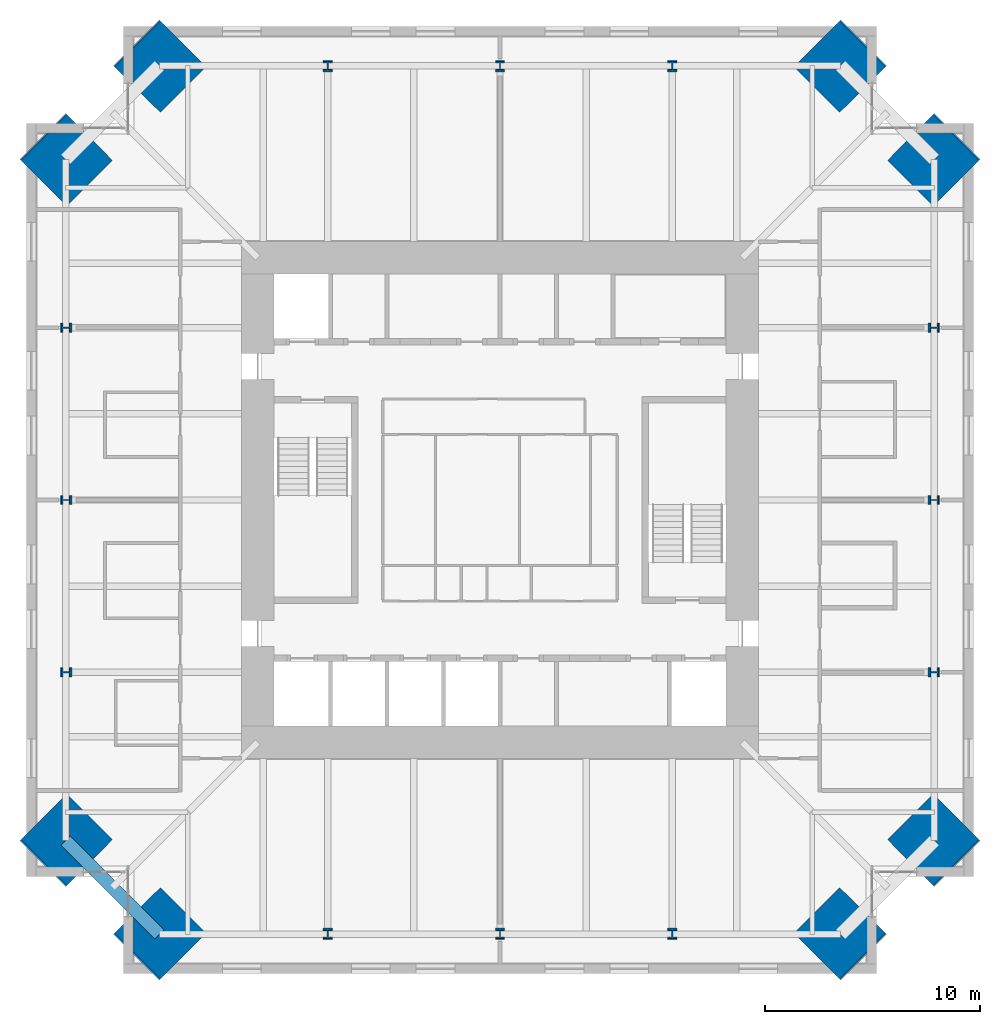
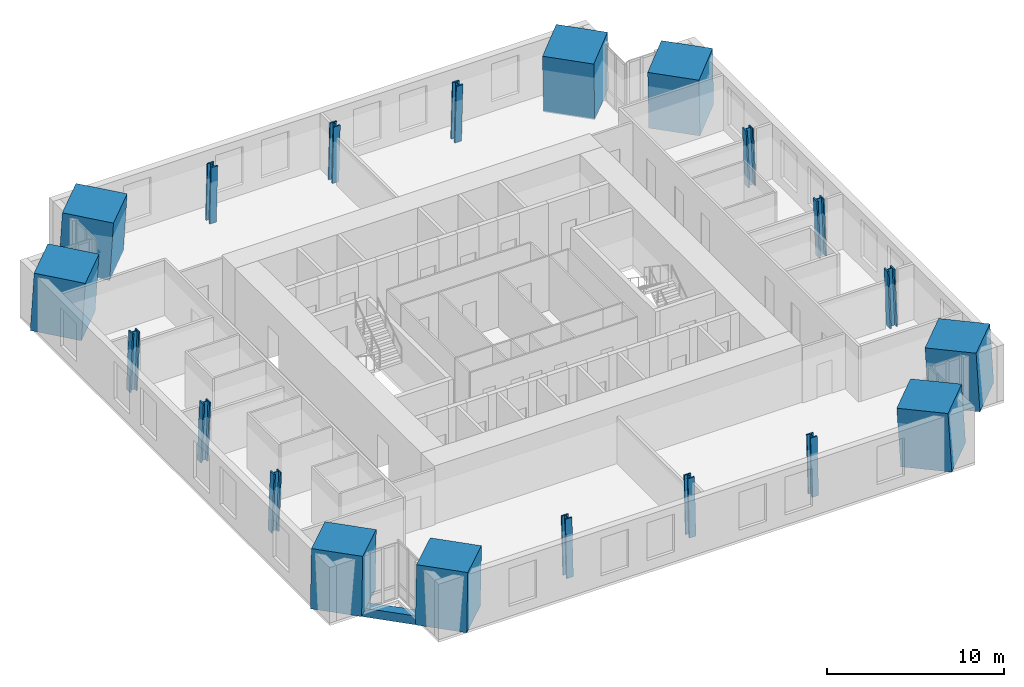
# One storey, part 1 of 16: 20 columns, 1 beam.
"""IFC4 building model written with IfcOpenShell, lengths in metres."""

from ifc_helpers import new_model, si_unit, direction, frame, origin, origin_2d, place, context, subcontext, project, spatial, rectangle, hollow_rectangle, i_section, extrude, material, material_profile, profile_set, type_object, element, save


model = new_model("IFC4")

# Units and contexts
model_context = context("Model", 3, precision=1e-05, world=origin(), true_north=direction((0.0, 1.0)))
body_context = subcontext(model_context, "Body", "Model", "MODEL_VIEW")
ifc_project = project(units=[si_unit("LENGTHUNIT", "METRE"), si_unit("AREAUNIT", "SQUARE_METRE"), si_unit("VOLUMEUNIT", "CUBIC_METRE"), si_unit("PLANEANGLEUNIT", "RADIAN"), si_unit("MASSUNIT", "GRAM", prefix="KILO")], contexts=[model_context])

# Site, building, storey
site_placement = place(None, origin())
site = spatial("IfcSite", under=ifc_project, at=site_placement, CompositionType="ELEMENT")
building_placement = place(site_placement, origin())
building = spatial("IfcBuilding", under=site, at=building_placement, Name="Peilmerk Tower", CompositionType="ELEMENT")
storey_placement = place(building_placement, frame((0.0, 0.0, 265.800048828125)))
storey = spatial("IfcBuildingStorey", under=building, at=storey_placement, Name="L59", CompositionType="ELEMENT", Elevation=265.800048828125)

# Columns
ifc_material_1 = material(Name="Concrete C90/105", Category="concrete")
ifc_material_profile_1 = material_profile(ifc_material_1, rectangle(XDim=3.0, YDim=3.0, at=origin_2d()), Name="RC 3000x3000")
ifc_profile_set_1 = profile_set([ifc_material_profile_1], Name="Concrete C90/105")
column_type_1 = type_object("IfcColumnType", Name="MC3 3000x3000 encased mega column", PredefinedType="COLUMN", material=ifc_profile_set_1)
for number, where, z_axis, x_axis, name in (
    (1, (15.8291015625, 20.178955078125, 0.0), (-0.040278830354, -0.040217894151, 0.998378754189), (0.706571297296, -0.707641859868, 0.0), "Mega column MC3 NE_N L59"),
    (2, (20.178955078125, 15.8291015625, 0.0), (-0.040217894151, -0.040278830354, 0.998378754189), (0.707641859868, -0.706571297296, 0.0), "Mega column MC3 NE_E L59"),
    (3, (20.178955078125, -15.8291015625, 0.0), (-0.040217894151, 0.040278830354, 0.998378754189), (-0.707641859868, -0.706571297296, 0.0), "Mega column MC3 SE_E L59"),
    (4, (15.8291015625, -20.178955078125, 0.0), (-0.040278830354, 0.040217894151, 0.998378754189), (-0.706571297296, -0.707641859868, 0.0), "Mega column MC3 SE_S L59"),
    (5, (-15.8291015625, -20.178955078125, 0.0), (0.040278830354, 0.040217894151, 0.998378754189), (-0.706571297296, 0.707641859868, 0.0), "Mega column MC3 SW_S L59"),
    (6, (-20.178955078125, -15.8291015625, 0.0), (0.040217894151, 0.040278830354, 0.998378754189), (-0.707641859868, 0.706571297296, 0.0), "Mega column MC3 SW_W L59"),
    (7, (-20.178955078125, 15.8291015625, 0.0), (0.040217894151, -0.040278830354, 0.998378754189), (0.707641859868, 0.706571297296, 0.0), "Mega column MC3 NW_W L59"),
    (8, (-15.8291015625, 20.178955078125, 0.0), (0.040278830354, -0.040217894151, 0.998378754189), (0.706571297296, 0.707641859868, 0.0), "Mega column MC3 NW_N L59"),
):
    element("IfcColumn", number, at=place(storey_placement, frame(where, z_axis=z_axis, x_axis=x_axis)), inside=storey, type_object=column_type_1, Name=name, PredefinedType="COLUMN", context=body_context, shape_type="SweptSolid", body=[
        extrude(rectangle(XDim=3.0, YDim=3.0, at=origin_2d()), origin(), (0.0, 0.0, 1.0), 4.006591796875),
    ])
ifc_material_2 = material(Name="Steel S460", Category="steel")
ifc_material_profile_2 = material_profile(ifc_material_2, i_section(OverallWidth=0.431884765625, OverallDepth=0.498046875, WebThickness=0.0556640625, FlangeThickness=0.0888671875, at=origin_2d()), Name="HD 400x744")
ifc_profile_set_2 = profile_set([ifc_material_profile_2], Name="Steel S460")
column_type_2 = type_object("IfcColumnType", Name="SC7 HD 400x744 perimeter column", PredefinedType="COLUMN", material=ifc_profile_set_2)
for number, where, z_axis, x_axis, name in (
    (9, (0.0, 20.178955078125, 0.0), (0.0, -0.040250558339, 0.999189617917), (1.0, 0.0, 0.0), "Perimeter column N+0 L59"),
    (10, (8.0, 20.178955078125, 0.0), (0.0, -0.040250558339, 0.999189617917), (1.0, 0.0, 0.0), "Perimeter column N-8 L59"),
    (11, (-8.0, 20.178955078125, 0.0), (0.0, -0.040250558339, 0.999189617917), (1.0, 0.0, 0.0), "Perimeter column N+8 L59"),
    (12, (20.178955078125, 0.0, 0.0), (-0.040250558339, 0.0, 0.999189617917), (0.0, -1.0, 0.0), "Perimeter column E+0 L59"),
    (13, (20.178955078125, -8.0, 0.0), (-0.040250558339, 0.0, 0.999189617917), (0.0, -1.0, 0.0), "Perimeter column E-8 L59"),
    (14, (20.178955078125, 8.0, 0.0), (-0.040250558339, 0.0, 0.999189617917), (0.0, -1.0, 0.0), "Perimeter column E+8 L59"),
    (15, (0.0, -20.178955078125, 0.0), (0.0, 0.040250558339, 0.999189617917), (-1.0, 0.0, 0.0), "Perimeter column S+0 L59"),
    (16, (-8.0, -20.178955078125, 0.0), (0.0, 0.040250558339, 0.999189617917), (-1.0, 0.0, 0.0), "Perimeter column S-8 L59"),
    (17, (8.0, -20.178955078125, 0.0), (0.0, 0.040250558339, 0.999189617917), (-1.0, 0.0, 0.0), "Perimeter column S+8 L59"),
    (18, (-20.178955078125, 0.0, 0.0), (0.040250558339, 0.0, 0.999189617917), (0.0, 1.0, 0.0), "Perimeter column W+0 L59"),
    (19, (-20.178955078125, 8.0, 0.0), (0.040250558339, 0.0, 0.999189617917), (0.0, 1.0, 0.0), "Perimeter column W-8 L59"),
    (20, (-20.178955078125, -8.0, 0.0), (0.040250558339, 0.0, 0.999189617917), (0.0, 1.0, 0.0), "Perimeter column W+8 L59"),
):
    element("IfcColumn", number, at=place(storey_placement, frame(where, z_axis=z_axis, x_axis=x_axis)), inside=storey, type_object=column_type_2, Name=name, PredefinedType="COLUMN", context=body_context, shape_type="SweptSolid", body=[
        extrude(i_section(OverallWidth=0.431884765625, OverallDepth=0.498046875, WebThickness=0.0556640625, FlangeThickness=0.0888671875, at=origin_2d()), origin(), (0.0, 0.0, 1.0), 4.003173828125),
    ])

# Beam
ifc_material_profile_3 = material_profile(ifc_material_2, hollow_rectangle(XDim=0.60009765625, YDim=0.60009765625, WallThickness=0.06005859375, at=origin_2d()), Name="BOX 600x600x60")
ifc_profile_set_3 = profile_set([ifc_material_profile_3], Name="Steel S460")
beam_type = type_object("IfcBeamType", Name="B20 BOX 600x600x60 notch beam", PredefinedType="SPANDREL", material=ifc_profile_set_3)
beam_placement = place(storey_placement, frame((-15.8291015625, -20.178955078125, -0.469970703125), z_axis=(-0.707106781187, 0.707106781187, 0.0), x_axis=(-0.707106781187, -0.707106781187, 0.0)))
element("IfcBeam", 21, at=beam_placement, inside=storey, type_object=beam_type, Name="Notch beam L59", PredefinedType="SPANDREL", context=body_context, shape_type="SweptSolid", body=[
    extrude(hollow_rectangle(XDim=0.60009765625, YDim=0.60009765625, WallThickness=0.06005859375, at=origin_2d()), origin(), (0.0, 0.0, 1.0), 6.151611328125),
])

save(model, "model.ifc")
